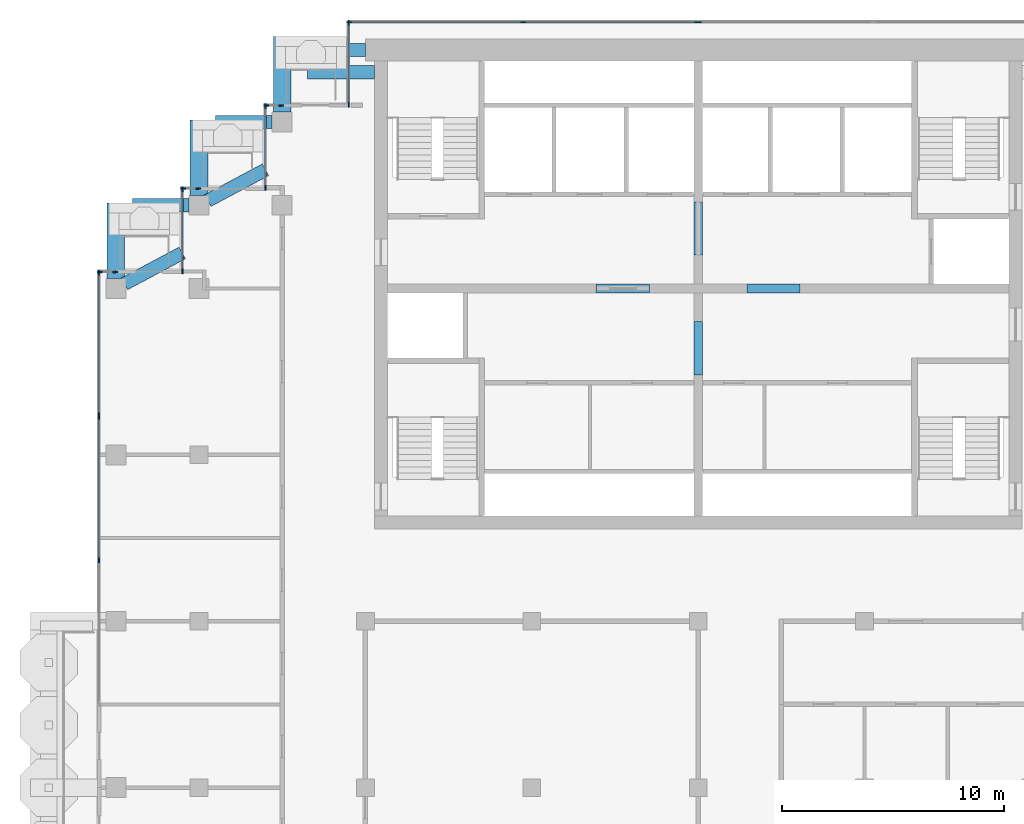
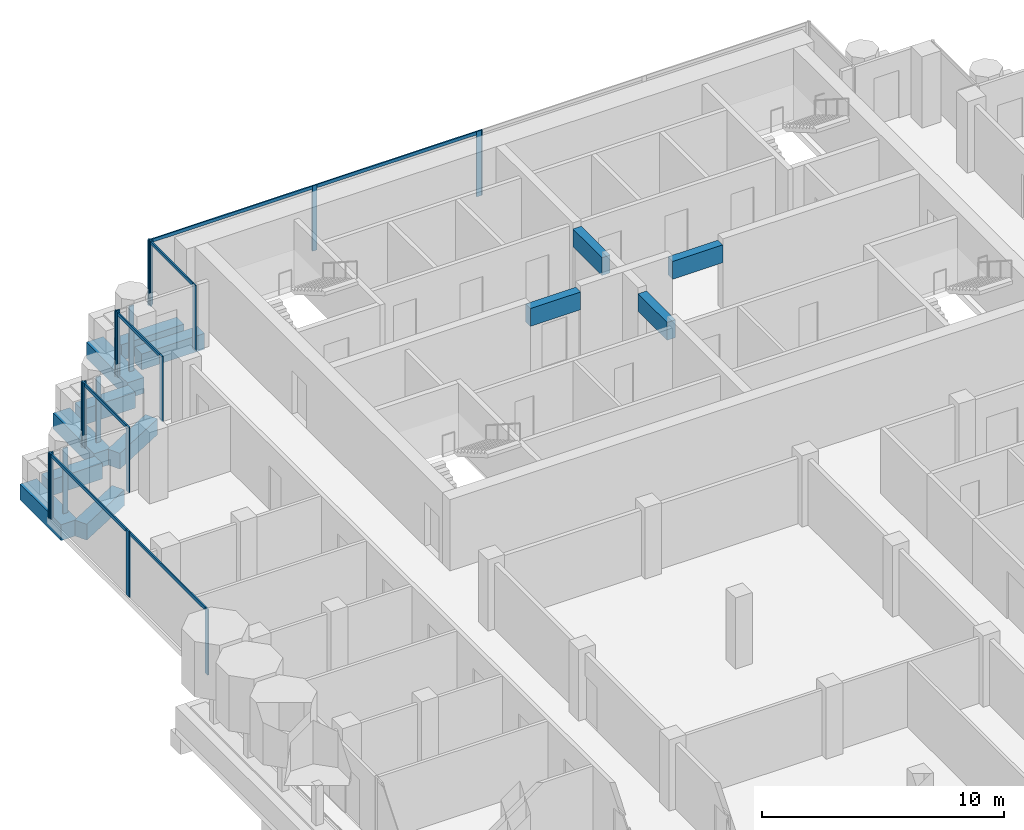
# One storey, part 5 of 19: 27 members, 13 beams, 10 elements without a shape of their own.
"""IFC4 building model written with IfcOpenShell, lengths in metres."""

from ifc_helpers import new_model, si_unit, direction, frame, origin, origin_2d, place, context, subcontext, project, spatial, rectangle, extrude, material, material_profile, profile_set, type_object, element, aggregate, save


model = new_model("IFC4")

# Units and contexts
model_context = context("Model", 3, precision=1e-05, world=origin(), true_north=direction((0.0, 1.0)))
body_context = subcontext(model_context, "Body", "Model", "MODEL_VIEW")
ifc_project = project(units=[si_unit("LENGTHUNIT", "METRE"), si_unit("AREAUNIT", "SQUARE_METRE"), si_unit("VOLUMEUNIT", "CUBIC_METRE"), si_unit("PLANEANGLEUNIT", "RADIAN"), si_unit("MASSUNIT", "GRAM", prefix="KILO")], contexts=[model_context])

# Site, building, storey
site_placement = place(None, origin())
site = spatial("IfcSite", under=ifc_project, at=site_placement, CompositionType="ELEMENT")
building_placement = place(site_placement, origin())
building = spatial("IfcBuilding", under=site, at=building_placement, Name="Pilkhan Gate Tower", CompositionType="ELEMENT")
storey_placement = place(building_placement, frame((0.0, 0.0, 239.10009765625)))
storey = spatial("IfcBuildingStorey", under=building, at=storey_placement, Name="L62", CompositionType="ELEMENT", Elevation=239.10009765625)

# Beams
ifc_material_1 = material(Name="Concrete C50/60", Category="concrete")
ifc_material_profile_1 = material_profile(ifc_material_1, rectangle(XDim=0.60009765625, YDim=0.800048828125, at=origin_2d()), Name="RC 600x800")
ifc_profile_set_1 = profile_set([ifc_material_profile_1], Name="Concrete C50/60")
beam_type_1 = type_object("IfcBeamType", Name="Cantilever beam CB1 RC 600x800 C50/60", PredefinedType="BEAM", material=ifc_profile_set_1)
for number, where, z_axis, x_axis, name in (
    (1, (60.0, 93.25, -0.7001953125), (-1.0, 0.0, 0.0), (0.0, -1.0, 0.0), "Balcony beam NW.2 L62"),
    (2, (60.39990234375, 92.25, -0.7001953125), (-1.0, 0.0, 0.0), (0.0, -1.0, 0.0), "Balcony beam NW.3 L62"),
):
    element("IfcBeam", number, at=place(storey_placement, frame(where, z_axis=z_axis, x_axis=x_axis)), inside=storey, type_object=beam_type_1, Name=name, PredefinedType="BEAM", context=body_context, shape_type="SweptSolid", body=[
        extrude(rectangle(XDim=0.60009765625, YDim=0.800048828125, at=origin_2d()), origin(), (0.0, 0.0, 1.0), 3.0),
    ])
beam_1_placement = place(storey_placement, frame((55.800048828125, 90.0, -0.7001953125), z_axis=(-1.0, 0.0, 0.0), x_axis=(0.0, -1.0, 0.0)))
element("IfcBeam", 3, at=beam_1_placement, inside=storey, type_object=beam_type_1, Name="Balcony beam NW1.2 L62", PredefinedType="BEAM", context=body_context, shape_type="SweptSolid", body=[
    extrude(rectangle(XDim=0.60009765625, YDim=0.800048828125, at=origin_2d()), origin(), (0.0, 0.0, 1.0), 2.550048828125),
])
beam_2_placement = place(storey_placement, frame((52.89697265625, 86.461669921875, -0.7001953125), z_axis=(0.882332323202, 0.470626891957, 0.0), x_axis=(-0.470626891957, 0.882332323202, 0.0)))
element("IfcBeam", 4, at=beam_2_placement, inside=storey, type_object=beam_type_1, Name="Balcony beam NW1.3 L62", PredefinedType="BEAM", context=body_context, shape_type="SweptSolid", body=[
    extrude(rectangle(XDim=0.60009765625, YDim=0.800048828125, at=origin_2d()), origin(), (0.0, 0.0, 1.0), 2.9501953125),
])
beam_3_placement = place(storey_placement, frame((52.050048828125, 86.25, -0.7001953125), z_axis=(-1.0, 0.0, 0.0), x_axis=(0.0, -1.0, 0.0)))
element("IfcBeam", 5, at=beam_3_placement, inside=storey, type_object=beam_type_1, Name="Balcony beam NW2.2 L62", PredefinedType="BEAM", context=body_context, shape_type="SweptSolid", body=[
    extrude(rectangle(XDim=0.60009765625, YDim=0.800048828125, at=origin_2d()), origin(), (0.0, 0.0, 1.0), 2.550048828125),
])
beam_4_placement = place(storey_placement, frame((49.14697265625, 82.711669921875, -0.7001953125), z_axis=(0.882332323202, 0.470626891957, 0.0), x_axis=(-0.470626891957, 0.882332323202, 0.0)))
element("IfcBeam", 6, at=beam_4_placement, inside=storey, type_object=beam_type_1, Name="Balcony beam NW2.3 L62", PredefinedType="BEAM", context=body_context, shape_type="SweptSolid", body=[
    extrude(rectangle(XDim=0.60009765625, YDim=0.800048828125, at=origin_2d()), origin(), (0.0, 0.0, 1.0), 2.9501953125),
])
ifc_material_profile_2 = material_profile(ifc_material_1, rectangle(XDim=0.800048828125, YDim=0.800048828125, at=origin_2d()), Name="RC 800x800")
ifc_profile_set_2 = profile_set([ifc_material_profile_2], Name="Concrete C50/60")
beam_type_2 = type_object("IfcBeamType", Name="Cantilever beam CB2 RC 800x800 C50/60", PredefinedType="BEAM", material=ifc_profile_set_2)
for number, where, z_axis, x_axis, name in (
    (7, (56.25, 90.449951171875, -0.7001953125), (0.0, 1.0, 0.0), (-1.0, 0.0, 0.0), "Balcony beam NW.1 L62"),
    (8, (52.5, 86.699951171875, -0.7001953125), (0.0, 1.0, 0.0), (-1.0, 0.0, 0.0), "Balcony beam NW1.1 L62"),
    (9, (48.75, 82.949951171875, -0.7001953125), (0.0, 1.0, 0.0), (-1.0, 0.0, 0.0), "Balcony beam NW2.1 L62"),
):
    element("IfcBeam", number, at=place(storey_placement, frame(where, z_axis=z_axis, x_axis=x_axis)), inside=storey, type_object=beam_type_2, Name=name, PredefinedType="BEAM", context=body_context, shape_type="SweptSolid", body=[
        extrude(rectangle(XDim=0.800048828125, YDim=0.800048828125, at=origin_2d()), origin(), (0.0, 0.0, 1.0), 3.400146484375),
    ])
ifc_material_profile_3 = material_profile(ifc_material_1, rectangle(XDim=0.39990234375, YDim=0.89990234375, at=origin_2d()), Name="RC 400x900")
ifc_profile_set_3 = profile_set([ifc_material_profile_3], Name="Concrete C50/60")
beam_type_3 = type_object("IfcBeamType", Name="Coupling beam CB90-4 RC 400x900 C50/60", PredefinedType="LINTEL", material=ifc_profile_set_3)
for number, where, z_axis, x_axis, name in (
    (10, (70.39990234375, 82.5, 2.849853515625), (1.0, 0.0, 0.0), (0.0, 1.0, 0.0), "Coupling beam 1 L62"),
    (11, (77.199951171875, 82.5, 2.849853515625), (1.0, 0.0, 0.0), (0.0, 1.0, 0.0), "Coupling beam 2 L62"),
):
    element("IfcBeam", number, at=place(storey_placement, frame(where, z_axis=z_axis, x_axis=x_axis)), inside=storey, type_object=beam_type_3, Name=name, PredefinedType="LINTEL", context=body_context, shape_type="SweptSolid", body=[
        extrude(rectangle(XDim=0.39990234375, YDim=0.89990234375, at=origin_2d()), origin(), (0.0, 0.0, 1.0), 2.400146484375),
    ])
for number, where, z_axis, x_axis, name in (
    (12, (75.0, 78.60009765625, 2.849853515625), (0.0, 1.0, 0.0), (-1.0, 0.0, 0.0), "Coupling beam 3 L62"),
    (13, (75.0, 84.0, 2.849853515625), (0.0, 1.0, 0.0), (-1.0, 0.0, 0.0), "Coupling beam 4 L62"),
):
    element("IfcBeam", number, at=place(storey_placement, frame(where, z_axis=z_axis, x_axis=x_axis)), inside=storey, type_object=beam_type_3, Name=name, PredefinedType="LINTEL", context=body_context, shape_type="SweptSolid", body=[
        extrude(rectangle(XDim=0.39990234375, YDim=0.89990234375, at=origin_2d()), origin(), (0.0, 0.0, 1.0), 2.39990234375),
    ])

# Curtain wall, members
ifc_material_2 = material(Name="Pale anodised aluminium, clear low-iron double glazing", Category="aluminium")
curtain_wall_type = type_object("IfcCurtainWallType", Name="Office unitised curtain wall CW-O2", PredefinedType="USERDEFINED", material=ifc_material_2)
curtain_wall_1_placement = place(storey_placement, origin())
curtain_wall_1 = element("IfcCurtainWall", 14, at=curtain_wall_1_placement, inside=storey, type_object=curtain_wall_type, Name="Office unitised curtain wall CW-O2 L62 N", ObjectType="UNITISED CURTAIN WALL", PredefinedType="USERDEFINED")
ifc_material_3 = material(Name="Pale anodised aluminium", Category="aluminium")
ifc_material_profile_4 = material_profile(ifc_material_3, rectangle(XDim=0.06494140625, YDim=0.22509765625, at=origin_2d()), Name="Mullion 225x65")
ifc_profile_set_4 = profile_set([ifc_material_profile_4], Name="Pale anodised aluminium")
member_type_1 = type_object("IfcMemberType", Name="Mullion CW-O2 225x65", PredefinedType="MULLION", material=ifc_profile_set_4)
member_1_placement = place(storey_placement, frame((59.282470703125, 94.5, 0.0), z_axis=(0.0, 0.0, 1.0), x_axis=(0.0, 1.0, 0.0)))
member_1 = element("IfcMember", 15, at=member_1_placement, type_object=member_type_1, Name="CW-O2 mullion 1", PredefinedType="MULLION", context=body_context, shape_type="SweptSolid", body=[
    extrude(rectangle(XDim=0.06494140625, YDim=0.22509765625, at=origin_2d()), origin(), (0.0, 0.0, 1.0), 3.2998046875),
])
member_2_placement = place(storey_placement, frame((67.125, 94.5, 0.0), z_axis=(0.0, 0.0, 1.0), x_axis=(0.0, 1.0, 0.0)))
member_2 = element("IfcMember", 16, at=member_2_placement, type_object=member_type_1, Name="CW-O2 mullion 2", PredefinedType="MULLION", context=body_context, shape_type="SweptSolid", body=[
    extrude(rectangle(XDim=0.06494140625, YDim=0.22509765625, at=origin_2d()), origin(), (0.0, 0.0, 1.0), 3.2998046875),
])
member_3_placement = place(storey_placement, frame((74.967529296875, 94.5, 0.0), z_axis=(0.0, 0.0, 1.0), x_axis=(0.0, 1.0, 0.0)))
member_3 = element("IfcMember", 17, at=member_3_placement, type_object=member_type_1, Name="CW-O2 mullion 3", PredefinedType="MULLION", context=body_context, shape_type="SweptSolid", body=[
    extrude(rectangle(XDim=0.06494140625, YDim=0.22509765625, at=origin_2d()), origin(), (0.0, 0.0, 1.0), 3.2998046875),
])

# Curtain wall, member
curtain_wall_2_placement = place(storey_placement, origin())
curtain_wall_2 = element("IfcCurtainWall", 18, at=curtain_wall_2_placement, inside=storey, type_object=curtain_wall_type, Name="Office unitised curtain wall CW-O2 L62 N", ObjectType="UNITISED CURTAIN WALL", PredefinedType="USERDEFINED")
member_4_placement = place(storey_placement, frame((75.032470703125, 94.5, 0.0), z_axis=(0.0, 0.0, 1.0), x_axis=(0.0, 1.0, 0.0)))
member_4 = element("IfcMember", 19, at=member_4_placement, type_object=member_type_1, Name="CW-O2 mullion 1", PredefinedType="MULLION", context=body_context, shape_type="SweptSolid", body=[
    extrude(rectangle(XDim=0.06494140625, YDim=0.22509765625, at=origin_2d()), origin(), (0.0, 0.0, 1.0), 3.2998046875),
])
aggregate(curtain_wall_2, [member_4])

# Curtain wall, members
curtain_wall_3_placement = place(storey_placement, origin())
curtain_wall_3 = element("IfcCurtainWall", 20, at=curtain_wall_3_placement, inside=storey, type_object=curtain_wall_type, Name="Office unitised curtain wall CW-O2 L62 W", ObjectType="UNITISED CURTAIN WALL", PredefinedType="USERDEFINED")
member_5_placement = place(storey_placement, frame((59.25, 90.782470703125, 0.0), z_axis=(0.0, 0.0, 1.0), x_axis=(-1.0, 0.0, 0.0)))
member_5 = element("IfcMember", 21, at=member_5_placement, type_object=member_type_1, Name="CW-O2 mullion 1", PredefinedType="MULLION", context=body_context, shape_type="SweptSolid", body=[
    extrude(rectangle(XDim=0.06494140625, YDim=0.22509765625, at=origin_2d()), origin(), (0.0, 0.0, 1.0), 3.2998046875),
])
member_6_placement = place(storey_placement, frame((59.25, 94.467529296875, 0.0), z_axis=(0.0, 0.0, 1.0), x_axis=(-1.0, 0.0, 0.0)))
member_6 = element("IfcMember", 22, at=member_6_placement, type_object=member_type_1, Name="CW-O2 mullion 2", PredefinedType="MULLION", context=body_context, shape_type="SweptSolid", body=[
    extrude(rectangle(XDim=0.06494140625, YDim=0.22509765625, at=origin_2d()), origin(), (0.0, 0.0, 1.0), 3.2998046875),
])

curtain_wall_4_placement = place(storey_placement, origin())
curtain_wall_4 = element("IfcCurtainWall", 23, at=curtain_wall_4_placement, inside=storey, type_object=curtain_wall_type, Name="Office unitised curtain wall CW-O2 L62 N", ObjectType="UNITISED CURTAIN WALL", PredefinedType="USERDEFINED")
member_7_placement = place(storey_placement, frame((55.532470703125, 90.75, 0.0), z_axis=(0.0, 0.0, 1.0), x_axis=(0.0, 1.0, 0.0)))
member_7 = element("IfcMember", 24, at=member_7_placement, type_object=member_type_1, Name="CW-O2 mullion 1", PredefinedType="MULLION", context=body_context, shape_type="SweptSolid", body=[
    extrude(rectangle(XDim=0.06494140625, YDim=0.22509765625, at=origin_2d()), origin(), (0.0, 0.0, 1.0), 3.2998046875),
])
member_8_placement = place(storey_placement, frame((56.217529296875, 90.75, 0.0), z_axis=(0.0, 0.0, 1.0), x_axis=(0.0, 1.0, 0.0)))
member_8 = element("IfcMember", 25, at=member_8_placement, type_object=member_type_1, Name="CW-O2 mullion 2", PredefinedType="MULLION", context=body_context, shape_type="SweptSolid", body=[
    extrude(rectangle(XDim=0.06494140625, YDim=0.22509765625, at=origin_2d()), origin(), (0.0, 0.0, 1.0), 3.2998046875),
])
aggregate(curtain_wall_4, [member_7, member_8])

curtain_wall_5_placement = place(storey_placement, origin())
curtain_wall_5 = element("IfcCurtainWall", 26, at=curtain_wall_5_placement, inside=storey, type_object=curtain_wall_type, Name="Office unitised curtain wall CW-O2 L62 W", ObjectType="UNITISED CURTAIN WALL", PredefinedType="USERDEFINED")
member_9_placement = place(storey_placement, frame((55.5, 87.032470703125, 0.0), z_axis=(0.0, 0.0, 1.0), x_axis=(-1.0, 0.0, 0.0)))
member_9 = element("IfcMember", 27, at=member_9_placement, type_object=member_type_1, Name="CW-O2 mullion 1", PredefinedType="MULLION", context=body_context, shape_type="SweptSolid", body=[
    extrude(rectangle(XDim=0.06494140625, YDim=0.22509765625, at=origin_2d()), origin(), (0.0, 0.0, 1.0), 3.2998046875),
])
member_10_placement = place(storey_placement, frame((55.5, 90.717529296875, 0.0), z_axis=(0.0, 0.0, 1.0), x_axis=(-1.0, 0.0, 0.0)))
member_10 = element("IfcMember", 28, at=member_10_placement, type_object=member_type_1, Name="CW-O2 mullion 2", PredefinedType="MULLION", context=body_context, shape_type="SweptSolid", body=[
    extrude(rectangle(XDim=0.06494140625, YDim=0.22509765625, at=origin_2d()), origin(), (0.0, 0.0, 1.0), 3.2998046875),
])

curtain_wall_6_placement = place(storey_placement, origin())
curtain_wall_6 = element("IfcCurtainWall", 29, at=curtain_wall_6_placement, inside=storey, type_object=curtain_wall_type, Name="Office unitised curtain wall CW-O2 L62 N", ObjectType="UNITISED CURTAIN WALL", PredefinedType="USERDEFINED")
member_11_placement = place(storey_placement, frame((51.782470703125, 87.0, 0.0), z_axis=(0.0, 0.0, 1.0), x_axis=(0.0, 1.0, 0.0)))
member_11 = element("IfcMember", 30, at=member_11_placement, type_object=member_type_1, Name="CW-O2 mullion 1", PredefinedType="MULLION", context=body_context, shape_type="SweptSolid", body=[
    extrude(rectangle(XDim=0.06494140625, YDim=0.22509765625, at=origin_2d()), origin(), (0.0, 0.0, 1.0), 3.2998046875),
])
member_12_placement = place(storey_placement, frame((52.467529296875, 87.0, 0.0), z_axis=(0.0, 0.0, 1.0), x_axis=(0.0, 1.0, 0.0)))
member_12 = element("IfcMember", 31, at=member_12_placement, type_object=member_type_1, Name="CW-O2 mullion 2", PredefinedType="MULLION", context=body_context, shape_type="SweptSolid", body=[
    extrude(rectangle(XDim=0.06494140625, YDim=0.22509765625, at=origin_2d()), origin(), (0.0, 0.0, 1.0), 3.2998046875),
])
aggregate(curtain_wall_6, [member_11, member_12])

curtain_wall_7_placement = place(storey_placement, origin())
curtain_wall_7 = element("IfcCurtainWall", 32, at=curtain_wall_7_placement, inside=storey, type_object=curtain_wall_type, Name="Office unitised curtain wall CW-O2 L62 W", ObjectType="UNITISED CURTAIN WALL", PredefinedType="USERDEFINED")
member_13_placement = place(storey_placement, frame((51.75, 83.282470703125, 0.0), z_axis=(0.0, 0.0, 1.0), x_axis=(-1.0, 0.0, 0.0)))
member_13 = element("IfcMember", 33, at=member_13_placement, type_object=member_type_1, Name="CW-O2 mullion 1", PredefinedType="MULLION", context=body_context, shape_type="SweptSolid", body=[
    extrude(rectangle(XDim=0.06494140625, YDim=0.22509765625, at=origin_2d()), origin(), (0.0, 0.0, 1.0), 3.2998046875),
])
member_14_placement = place(storey_placement, frame((51.75, 86.967529296875, 0.0), z_axis=(0.0, 0.0, 1.0), x_axis=(-1.0, 0.0, 0.0)))
member_14 = element("IfcMember", 34, at=member_14_placement, type_object=member_type_1, Name="CW-O2 mullion 2", PredefinedType="MULLION", context=body_context, shape_type="SweptSolid", body=[
    extrude(rectangle(XDim=0.06494140625, YDim=0.22509765625, at=origin_2d()), origin(), (0.0, 0.0, 1.0), 3.2998046875),
])

curtain_wall_8_placement = place(storey_placement, origin())
curtain_wall_8 = element("IfcCurtainWall", 35, at=curtain_wall_8_placement, inside=storey, type_object=curtain_wall_type, Name="Office unitised curtain wall CW-O2 L62 N", ObjectType="UNITISED CURTAIN WALL", PredefinedType="USERDEFINED")
member_15_placement = place(storey_placement, frame((48.032470703125, 83.25, 0.0), z_axis=(0.0, 0.0, 1.0), x_axis=(0.0, 1.0, 0.0)))
member_15 = element("IfcMember", 36, at=member_15_placement, type_object=member_type_1, Name="CW-O2 mullion 1", PredefinedType="MULLION", context=body_context, shape_type="SweptSolid", body=[
    extrude(rectangle(XDim=0.06494140625, YDim=0.22509765625, at=origin_2d()), origin(), (0.0, 0.0, 1.0), 3.2998046875),
])
member_16_placement = place(storey_placement, frame((48.717529296875, 83.25, 0.0), z_axis=(0.0, 0.0, 1.0), x_axis=(0.0, 1.0, 0.0)))
member_16 = element("IfcMember", 37, at=member_16_placement, type_object=member_type_1, Name="CW-O2 mullion 2", PredefinedType="MULLION", context=body_context, shape_type="SweptSolid", body=[
    extrude(rectangle(XDim=0.06494140625, YDim=0.22509765625, at=origin_2d()), origin(), (0.0, 0.0, 1.0), 3.2998046875),
])
aggregate(curtain_wall_8, [member_15, member_16])

curtain_wall_9_placement = place(storey_placement, origin())
curtain_wall_9 = element("IfcCurtainWall", 38, at=curtain_wall_9_placement, inside=storey, type_object=curtain_wall_type, Name="Office unitised curtain wall CW-O2 L62 W", ObjectType="UNITISED CURTAIN WALL", PredefinedType="USERDEFINED")
member_17_placement = place(storey_placement, frame((48.0, 70.25, 0.0), z_axis=(0.0, 0.0, 1.0), x_axis=(-1.0, 0.0, 0.0)))
member_17 = element("IfcMember", 39, at=member_17_placement, type_object=member_type_1, Name="CW-O2 mullion 2", PredefinedType="MULLION", context=body_context, shape_type="SweptSolid", body=[
    extrude(rectangle(XDim=0.06494140625, YDim=0.22509765625, at=origin_2d()), origin(), (0.0, 0.0, 1.0), 3.2998046875),
])
member_18_placement = place(storey_placement, frame((48.0, 76.717529296875, 0.0), z_axis=(0.0, 0.0, 1.0), x_axis=(-1.0, 0.0, 0.0)))
member_18 = element("IfcMember", 40, at=member_18_placement, type_object=member_type_1, Name="CW-O2 mullion 3", PredefinedType="MULLION", context=body_context, shape_type="SweptSolid", body=[
    extrude(rectangle(XDim=0.06494140625, YDim=0.22509765625, at=origin_2d()), origin(), (0.0, 0.0, 1.0), 3.2998046875),
])

curtain_wall_10_placement = place(storey_placement, origin())
curtain_wall_10 = element("IfcCurtainWall", 41, at=curtain_wall_10_placement, inside=storey, type_object=curtain_wall_type, Name="Office unitised curtain wall CW-O2 L62 W", ObjectType="UNITISED CURTAIN WALL", PredefinedType="USERDEFINED")
member_19_placement = place(storey_placement, frame((48.0, 76.782470703125, 0.0), z_axis=(0.0, 0.0, 1.0), x_axis=(-1.0, 0.0, 0.0)))
member_19 = element("IfcMember", 42, at=member_19_placement, type_object=member_type_1, Name="CW-O2 mullion 1", PredefinedType="MULLION", context=body_context, shape_type="SweptSolid", body=[
    extrude(rectangle(XDim=0.06494140625, YDim=0.22509765625, at=origin_2d()), origin(), (0.0, 0.0, 1.0), 3.2998046875),
])
member_20_placement = place(storey_placement, frame((48.0, 83.217529296875, 0.0), z_axis=(0.0, 0.0, 1.0), x_axis=(-1.0, 0.0, 0.0)))
member_20 = element("IfcMember", 43, at=member_20_placement, type_object=member_type_1, Name="CW-O2 mullion 2", PredefinedType="MULLION", context=body_context, shape_type="SweptSolid", body=[
    extrude(rectangle(XDim=0.06494140625, YDim=0.22509765625, at=origin_2d()), origin(), (0.0, 0.0, 1.0), 3.2998046875),
])

# Member
ifc_material_profile_5 = material_profile(ifc_material_3, rectangle(XDim=0.06494140625, YDim=0.1650390625, at=origin_2d()), Name="Transom 165x65")
ifc_profile_set_5 = profile_set([ifc_material_profile_5], Name="Pale anodised aluminium")
member_type_2 = type_object("IfcMemberType", Name="Transom CW-O2 165x65", PredefinedType="USERDEFINED", material=ifc_profile_set_5)
member_21_placement = place(storey_placement, frame((59.31494140625, 94.5, 3.21728515625), z_axis=(1.0, 0.0, 0.0), x_axis=(0.0, 1.0, 0.0)))
member_21 = element("IfcMember", 44, at=member_21_placement, type_object=member_type_2, Name="CW-O2 transom 1", ObjectType="TRANSOM", PredefinedType="USERDEFINED", context=body_context, shape_type="SweptSolid", body=[
    extrude(rectangle(XDim=0.06494140625, YDim=0.1650390625, at=origin_2d()), origin(), (0.0, 0.0, 1.0), 7.777587890625),
])

member_22_placement = place(storey_placement, frame((67.157470703125, 94.5, 3.21728515625), z_axis=(1.0, 0.0, 0.0), x_axis=(0.0, 1.0, 0.0)))
member_22 = element("IfcMember", 45, at=member_22_placement, type_object=member_type_2, Name="CW-O2 transom 2", ObjectType="TRANSOM", PredefinedType="USERDEFINED", context=body_context, shape_type="SweptSolid", body=[
    extrude(rectangle(XDim=0.06494140625, YDim=0.1650390625, at=origin_2d()), origin(), (0.0, 0.0, 1.0), 7.777587890625),
])

aggregate(curtain_wall_1, [member_1, member_2, member_3, member_21, member_22])

member_23_placement = place(storey_placement, frame((59.25, 90.81494140625, 3.21728515625), z_axis=(0.0, 1.0, 0.0), x_axis=(-1.0, 0.0, 0.0)))
member_23 = element("IfcMember", 46, at=member_23_placement, type_object=member_type_2, Name="CW-O2 transom 1", ObjectType="TRANSOM", PredefinedType="USERDEFINED", context=body_context, shape_type="SweptSolid", body=[
    extrude(rectangle(XDim=0.06494140625, YDim=0.1650390625, at=origin_2d()), origin(), (0.0, 0.0, 1.0), 3.6201171875),
])

aggregate(curtain_wall_3, [member_5, member_6, member_23])

member_24_placement = place(storey_placement, frame((55.5, 87.06494140625, 3.21728515625), z_axis=(0.0, 1.0, 0.0), x_axis=(-1.0, 0.0, 0.0)))
member_24 = element("IfcMember", 47, at=member_24_placement, type_object=member_type_2, Name="CW-O2 transom 1", ObjectType="TRANSOM", PredefinedType="USERDEFINED", context=body_context, shape_type="SweptSolid", body=[
    extrude(rectangle(XDim=0.06494140625, YDim=0.1650390625, at=origin_2d()), origin(), (0.0, 0.0, 1.0), 3.6201171875),
])

aggregate(curtain_wall_5, [member_9, member_10, member_24])

member_25_placement = place(storey_placement, frame((51.75, 83.31494140625, 3.21728515625), z_axis=(0.0, 1.0, 0.0), x_axis=(-1.0, 0.0, 0.0)))
member_25 = element("IfcMember", 48, at=member_25_placement, type_object=member_type_2, Name="CW-O2 transom 1", ObjectType="TRANSOM", PredefinedType="USERDEFINED", context=body_context, shape_type="SweptSolid", body=[
    extrude(rectangle(XDim=0.06494140625, YDim=0.1650390625, at=origin_2d()), origin(), (0.0, 0.0, 1.0), 3.6201171875),
])

aggregate(curtain_wall_7, [member_13, member_14, member_25])

member_26_placement = place(storey_placement, frame((48.0, 70.282470703125, 3.21728515625), z_axis=(0.0, 1.0, 0.0), x_axis=(-1.0, 0.0, 0.0)))
member_26 = element("IfcMember", 49, at=member_26_placement, type_object=member_type_2, Name="CW-O2 transom 2", ObjectType="TRANSOM", PredefinedType="USERDEFINED", context=body_context, shape_type="SweptSolid", body=[
    extrude(rectangle(XDim=0.06494140625, YDim=0.1650390625, at=origin_2d()), origin(), (0.0, 0.0, 1.0), 6.402587890625),
])

aggregate(curtain_wall_9, [member_17, member_18, member_26])

member_27_placement = place(storey_placement, frame((48.0, 76.81494140625, 3.21728515625), z_axis=(0.0, 1.0, 0.0), x_axis=(-1.0, 0.0, 0.0)))
member_27 = element("IfcMember", 50, at=member_27_placement, type_object=member_type_2, Name="CW-O2 transom 1", ObjectType="TRANSOM", PredefinedType="USERDEFINED", context=body_context, shape_type="SweptSolid", body=[
    extrude(rectangle(XDim=0.06494140625, YDim=0.1650390625, at=origin_2d()), origin(), (0.0, 0.0, 1.0), 6.3701171875),
])

aggregate(curtain_wall_10, [member_19, member_20, member_27])

save(model, "model.ifc")
